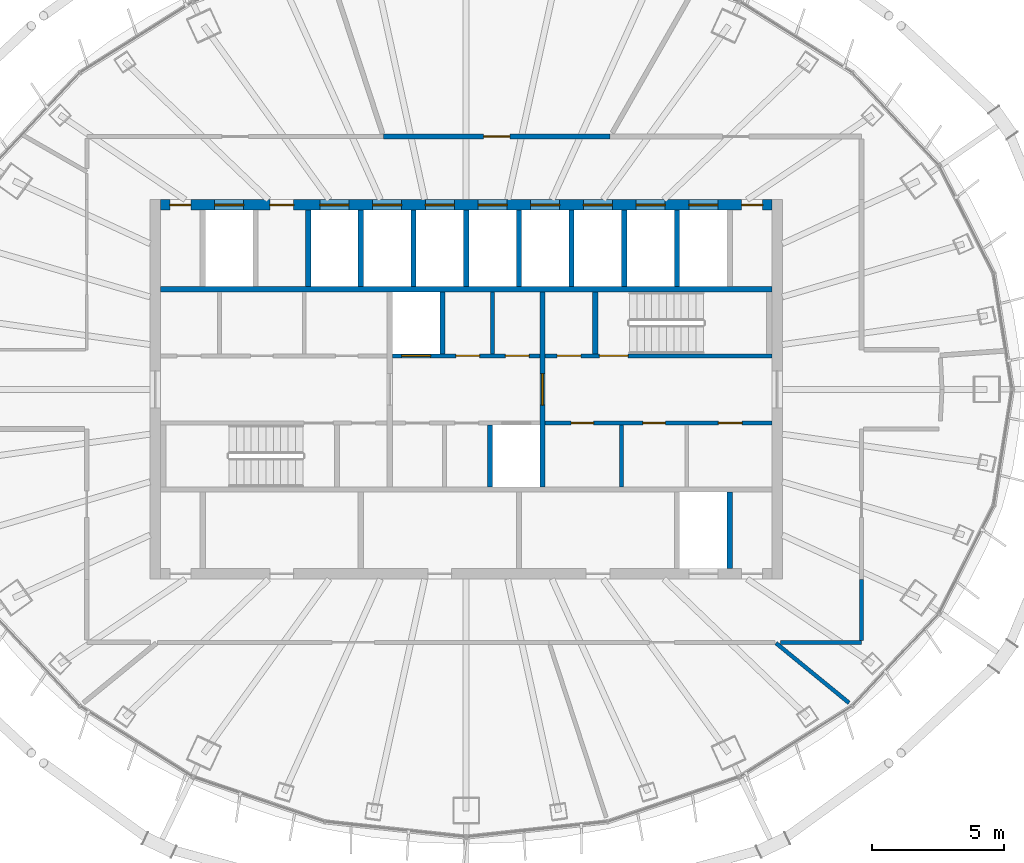
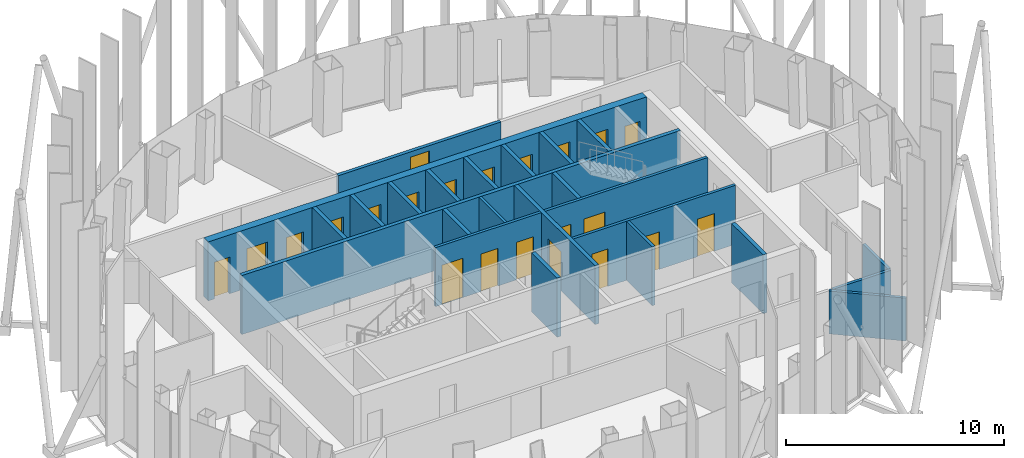
# One storey, part 10 of 19: 24 walls, 22 doors, 22 openings.
"""IFC4 building model written with IfcOpenShell, lengths in metres."""

from ifc_helpers import new_model, si_unit, direction, frame, frame_2d, origin, place, context, subcontext, project, spatial, rectangle, extrude, material, layer, layer_set, type_object, element, fill, save


model = new_model("IFC4")

# Units and contexts
model_context = context("Model", 3, precision=1e-05, world=origin(), true_north=direction((0.0, 1.0)))
body_context = subcontext(model_context, "Body", "Model", "MODEL_VIEW")
ifc_project = project(units=[si_unit("LENGTHUNIT", "METRE"), si_unit("AREAUNIT", "SQUARE_METRE"), si_unit("VOLUMEUNIT", "CUBIC_METRE"), si_unit("PLANEANGLEUNIT", "RADIAN"), si_unit("MASSUNIT", "GRAM", prefix="KILO")], contexts=[model_context])

# Site, building, storey
site_placement = place(None, origin())
site = spatial("IfcSite", under=ifc_project, at=site_placement, CompositionType="ELEMENT")
building_placement = place(site_placement, origin())
building = spatial("IfcBuilding", under=site, at=building_placement, Name="Siaravel Broadcast Tower", CompositionType="ELEMENT")
storey_placement = place(building_placement, frame((0.0, 0.0, 250.39990234375)))
storey = spatial("IfcBuildingStorey", under=building, at=storey_placement, Name="L61", CompositionType="ELEMENT", Elevation=250.39990234375)

# Walls
ifc_material_1 = material(Name="Concrete blockwork", Category="masonry")
ifc_layer_1 = layer(ifc_material_1, 0.14990234375)
ifc_layer_set_1 = layer_set([ifc_layer_1], Name="Concrete blockwork")
wall_type_1 = type_object("IfcWallType", Name="Core partition 150", PredefinedType="PARTITIONING", material=ifc_layer_set_1)
for number, where, z_axis, x_axis, name in (
    (1, (5.89697265625, -3.699951171875, 0.0), (0.0, 0.0, 1.0), (0.0, 1.0, 0.0), "L61 core partition PSE0"),
    (2, (1.0, 1.35009765625, 0.0), (0.0, 0.0, 1.0), (0.0, 1.0, 0.0), "L61 core partition PNM0"),
):
    element("IfcWall", number, at=place(storey_placement, frame(where, z_axis=z_axis, x_axis=x_axis)), inside=storey, type_object=wall_type_1, Name=name, PredefinedType="PARTITIONING", context=body_context, shape_type="SweptSolid", body=[
        extrude(rectangle(XDim=2.349853515625, YDim=0.14990234375, at=frame_2d((1.1748046875, 0.0))), origin(), (0.0, 0.0, 1.0), 3.300048828125),
    ])

# Wall, openings, doors
ifc_material_2 = material(Name="Concrete C60/75", Category="concrete")
ifc_layer_2 = layer(ifc_material_2, 0.39990234375)
ifc_layer_set_2 = layer_set([ifc_layer_2], Name="Concrete C60/75")
wall_type_2 = type_object("IfcWallType", Name="Core wall 400", PredefinedType="SHEAR", material=ifc_layer_set_2)
wall_1_placement = place(storey_placement, frame((-11.60009765625, 7.0, 0.0), z_axis=(0.0, 0.0, 1.0), x_axis=(1.0, 0.0, 0.0)))
wall_1 = element("IfcWall", 3, at=wall_1_placement, inside=storey, type_object=wall_type_2, Name="L61 core wall ON", PredefinedType="SHEAR", context=body_context, shape_type="SweptSolid", body=[
    extrude(rectangle(XDim=23.2001953125, YDim=0.39990234375, at=frame_2d((11.60009765625, 0.0))), origin(), (0.0, 0.0, 1.0), 3.300048828125),
])
opening_1_placement = place(wall_1_placement, frame((2.050048828125, 0.0, 0.0)))
opening_1 = element("IfcOpeningElement", 4, at=opening_1_placement, cuts=wall_1, Name="Opening LD-SV2-L61", PredefinedType="OPENING", context=body_context, shape_type="SweptSolid", body=[
    extrude(rectangle(XDim=1.10009765625, YDim=2.199951171875, at=frame_2d((0.550048828125, 1.10009765625))), frame((0.0, 0.2099609375, 0.0), z_axis=(0.0, -1.0, 0.0), x_axis=(1.0, 0.0, 0.0)), (0.0, 0.0, 1.0), 0.419921875),
])
opening_2_placement = place(wall_1_placement, frame((6.050048828125, 0.0, 0.0)))
opening_2 = element("IfcOpeningElement", 5, at=opening_2_placement, cuts=wall_1, Name="Opening LD-HP1-L61", PredefinedType="OPENING", context=body_context, shape_type="SweptSolid", body=[
    extrude(rectangle(XDim=1.10009765625, YDim=2.199951171875, at=frame_2d((0.550048828125, 1.10009765625))), frame((0.0, 0.2099609375, 0.0), z_axis=(0.0, -1.0, 0.0), x_axis=(1.0, 0.0, 0.0)), (0.0, 0.0, 1.0), 0.419921875),
])
opening_3_placement = place(wall_1_placement, frame((8.050048828125, 0.0, 0.0)))
opening_3 = element("IfcOpeningElement", 6, at=opening_3_placement, cuts=wall_1, Name="Opening LD-HP2-L61", PredefinedType="OPENING", context=body_context, shape_type="SweptSolid", body=[
    extrude(rectangle(XDim=1.10009765625, YDim=2.199951171875, at=frame_2d((0.550048828125, 1.10009765625))), frame((0.0, 0.2099609375, 0.0), z_axis=(0.0, -1.0, 0.0), x_axis=(1.0, 0.0, 0.0)), (0.0, 0.0, 1.0), 0.419921875),
])
opening_4_placement = place(wall_1_placement, frame((10.050048828125, 0.0, 0.0)))
opening_4 = element("IfcOpeningElement", 7, at=opening_4_placement, cuts=wall_1, Name="Opening LD-HP3-L61", PredefinedType="OPENING", context=body_context, shape_type="SweptSolid", body=[
    extrude(rectangle(XDim=1.10009765625, YDim=2.199951171875, at=frame_2d((0.550048828125, 1.10009765625))), frame((0.0, 0.2099609375, 0.0), z_axis=(0.0, -1.0, 0.0), x_axis=(1.0, 0.0, 0.0)), (0.0, 0.0, 1.0), 0.419921875),
])
opening_5_placement = place(wall_1_placement, frame((12.050048828125, 0.0, 0.0)))
opening_5 = element("IfcOpeningElement", 8, at=opening_5_placement, cuts=wall_1, Name="Opening LD-HP4-L61", PredefinedType="OPENING", context=body_context, shape_type="SweptSolid", body=[
    extrude(rectangle(XDim=1.10009765625, YDim=2.199951171875, at=frame_2d((0.550048828125, 1.10009765625))), frame((0.0, 0.2099609375, 0.0), z_axis=(0.0, -1.0, 0.0), x_axis=(1.0, 0.0, 0.0)), (0.0, 0.0, 1.0), 0.419921875),
])
opening_6_placement = place(wall_1_placement, frame((14.050048828125, 0.0, 0.0)))
opening_6 = element("IfcOpeningElement", 9, at=opening_6_placement, cuts=wall_1, Name="Opening LD-HP5-L61", PredefinedType="OPENING", context=body_context, shape_type="SweptSolid", body=[
    extrude(rectangle(XDim=1.10009765625, YDim=2.199951171875, at=frame_2d((0.550048828125, 1.10009765625))), frame((0.0, 0.2099609375, 0.0), z_axis=(0.0, -1.0, 0.0), x_axis=(1.0, 0.0, 0.0)), (0.0, 0.0, 1.0), 0.419921875),
])
opening_7_placement = place(wall_1_placement, frame((16.050048828125, 0.0, 0.0)))
opening_7 = element("IfcOpeningElement", 10, at=opening_7_placement, cuts=wall_1, Name="Opening LD-HP6-L61", PredefinedType="OPENING", context=body_context, shape_type="SweptSolid", body=[
    extrude(rectangle(XDim=1.10009765625, YDim=2.199951171875, at=frame_2d((0.550048828125, 1.10009765625))), frame((0.0, 0.2099609375, 0.0), z_axis=(0.0, -1.0, 0.0), x_axis=(1.0, 0.0, 0.0)), (0.0, 0.0, 1.0), 0.419921875),
])
opening_8_placement = place(wall_1_placement, frame((18.050048828125, 0.0, 0.0)))
opening_8 = element("IfcOpeningElement", 11, at=opening_8_placement, cuts=wall_1, Name="Opening LD-HP7-L61", PredefinedType="OPENING", context=body_context, shape_type="SweptSolid", body=[
    extrude(rectangle(XDim=1.10009765625, YDim=2.199951171875, at=frame_2d((0.550048828125, 1.10009765625))), frame((0.0, 0.2099609375, 0.0), z_axis=(0.0, -1.0, 0.0), x_axis=(1.0, 0.0, 0.0)), (0.0, 0.0, 1.0), 0.419921875),
])
opening_9_placement = place(wall_1_placement, frame((20.050048828125, 0.0, 0.0)))
opening_9 = element("IfcOpeningElement", 12, at=opening_9_placement, cuts=wall_1, Name="Opening LD-HP8-L61", PredefinedType="OPENING", context=body_context, shape_type="SweptSolid", body=[
    extrude(rectangle(XDim=1.10009765625, YDim=2.199951171875, at=frame_2d((0.550048828125, 1.10009765625))), frame((0.0, 0.2099609375, 0.0), z_axis=(0.0, -1.0, 0.0), x_axis=(1.0, 0.0, 0.0)), (0.0, 0.0, 1.0), 0.419921875),
])
opening_10_placement = place(wall_1_placement, frame((4.14990234375, 0.0, 0.0)))
opening_10 = element("IfcOpeningElement", 13, at=opening_10_placement, cuts=wall_1, Name="Opening L61-DFN1", PredefinedType="OPENING", context=body_context, shape_type="SweptSolid", body=[
    extrude(rectangle(XDim=0.89990234375, YDim=2.10009765625, at=frame_2d((0.449951171875, 1.050048828125))), frame((0.0, 0.2099609375, 0.0), z_axis=(0.0, -1.0, 0.0), x_axis=(1.0, 0.0, 0.0)), (0.0, 0.0, 1.0), 0.419921875),
])
opening_11_placement = place(wall_1_placement, frame((0.35009765625, 0.0, 0.0)))
opening_11 = element("IfcOpeningElement", 14, at=opening_11_placement, cuts=wall_1, Name="Opening L61-DRNW", PredefinedType="OPENING", context=body_context, shape_type="SweptSolid", body=[
    extrude(rectangle(XDim=0.800048828125, YDim=2.050048828125, at=frame_2d((0.39990234375, 1.02490234375))), frame((0.0, 0.2099609375, 0.0), z_axis=(0.0, -1.0, 0.0), x_axis=(1.0, 0.0, 0.0)), (0.0, 0.0, 1.0), 0.419921875),
])
opening_12_placement = place(wall_1_placement, frame((22.050048828125, 0.0, 0.0)))
opening_12 = element("IfcOpeningElement", 15, at=opening_12_placement, cuts=wall_1, Name="Opening L61-DRNE", PredefinedType="OPENING", context=body_context, shape_type="SweptSolid", body=[
    extrude(rectangle(XDim=0.800048828125, YDim=2.050048828125, at=frame_2d((0.39990234375, 1.02490234375))), frame((0.0, 0.2099609375, 0.0), z_axis=(0.0, -1.0, 0.0), x_axis=(1.0, 0.0, 0.0)), (0.0, 0.0, 1.0), 0.419921875),
])
ifc_material_3 = material(Name="Timber veneer", Category="wood")
door_type_1 = type_object("IfcDoorType", Name="Core room door 900", OperationType="SINGLE_SWING_LEFT", PredefinedType="DOOR", material=ifc_material_3)
door_1_placement = place(opening_10_placement, origin())
door_1 = element("IfcDoor", 16, at=door_1_placement, inside=storey, type_object=door_type_1, Name="L61 door DFN1", OperationType="SINGLE_SWING_LEFT", OverallHeight=2.10009765625, OverallWidth=0.89990234375, PredefinedType="DOOR", context=body_context, shape_type="SweptSolid", body=[
    extrude(rectangle(XDim=0.89990234375, YDim=2.10009765625, at=frame_2d((0.449951171875, 1.050048828125))), frame((0.0, 0.02490234375, 0.0), z_axis=(0.0, -1.0, 0.0), x_axis=(1.0, 0.0, 0.0)), (0.0, 0.0, 1.0), 0.050048828125),
])
fill(opening_10, door_1)
ifc_material_4 = material(Name="Stainless steel 316L", Category="steel")
door_type_2 = type_object("IfcDoorType", Name="Lift landing door 1100", OperationType="DOUBLE_DOOR_SLIDING", PredefinedType="DOOR", material=ifc_material_4)
door_2_placement = place(opening_2_placement, origin())
door_2 = element("IfcDoor", 17, at=door_2_placement, inside=storey, type_object=door_type_2, Name="Landing door HP1 L61", OperationType="DOUBLE_DOOR_SLIDING", OverallHeight=2.199951171875, OverallWidth=1.10009765625, PredefinedType="DOOR", context=body_context, shape_type="SweptSolid", body=[
    extrude(rectangle(XDim=1.10009765625, YDim=2.199951171875, at=frame_2d((0.550048828125, 1.10009765625))), frame((0.0, 0.02490234375, 0.0), z_axis=(0.0, -1.0, 0.0), x_axis=(1.0, 0.0, 0.0)), (0.0, 0.0, 1.0), 0.050048828125),
])
fill(opening_2, door_2)
door_3_placement = place(opening_3_placement, origin())
door_3 = element("IfcDoor", 18, at=door_3_placement, inside=storey, type_object=door_type_2, Name="Landing door HP2 L61", OperationType="DOUBLE_DOOR_SLIDING", OverallHeight=2.199951171875, OverallWidth=1.10009765625, PredefinedType="DOOR", context=body_context, shape_type="SweptSolid", body=[
    extrude(rectangle(XDim=1.10009765625, YDim=2.199951171875, at=frame_2d((0.550048828125, 1.10009765625))), frame((0.0, 0.02490234375, 0.0), z_axis=(0.0, -1.0, 0.0), x_axis=(1.0, 0.0, 0.0)), (0.0, 0.0, 1.0), 0.050048828125),
])
fill(opening_3, door_3)
door_4_placement = place(opening_4_placement, origin())
door_4 = element("IfcDoor", 19, at=door_4_placement, inside=storey, type_object=door_type_2, Name="Landing door HP3 L61", OperationType="DOUBLE_DOOR_SLIDING", OverallHeight=2.199951171875, OverallWidth=1.10009765625, PredefinedType="DOOR", context=body_context, shape_type="SweptSolid", body=[
    extrude(rectangle(XDim=1.10009765625, YDim=2.199951171875, at=frame_2d((0.550048828125, 1.10009765625))), frame((0.0, 0.02490234375, 0.0), z_axis=(0.0, -1.0, 0.0), x_axis=(1.0, 0.0, 0.0)), (0.0, 0.0, 1.0), 0.050048828125),
])
fill(opening_4, door_4)
door_5_placement = place(opening_5_placement, origin())
door_5 = element("IfcDoor", 20, at=door_5_placement, inside=storey, type_object=door_type_2, Name="Landing door HP4 L61", OperationType="DOUBLE_DOOR_SLIDING", OverallHeight=2.199951171875, OverallWidth=1.10009765625, PredefinedType="DOOR", context=body_context, shape_type="SweptSolid", body=[
    extrude(rectangle(XDim=1.10009765625, YDim=2.199951171875, at=frame_2d((0.550048828125, 1.10009765625))), frame((0.0, 0.02490234375, 0.0), z_axis=(0.0, -1.0, 0.0), x_axis=(1.0, 0.0, 0.0)), (0.0, 0.0, 1.0), 0.050048828125),
])
fill(opening_5, door_5)
door_6_placement = place(opening_6_placement, origin())
door_6 = element("IfcDoor", 21, at=door_6_placement, inside=storey, type_object=door_type_2, Name="Landing door HP5 L61", OperationType="DOUBLE_DOOR_SLIDING", OverallHeight=2.199951171875, OverallWidth=1.10009765625, PredefinedType="DOOR", context=body_context, shape_type="SweptSolid", body=[
    extrude(rectangle(XDim=1.10009765625, YDim=2.199951171875, at=frame_2d((0.550048828125, 1.10009765625))), frame((0.0, 0.02490234375, 0.0), z_axis=(0.0, -1.0, 0.0), x_axis=(1.0, 0.0, 0.0)), (0.0, 0.0, 1.0), 0.050048828125),
])
fill(opening_6, door_6)
door_7_placement = place(opening_7_placement, origin())
door_7 = element("IfcDoor", 22, at=door_7_placement, inside=storey, type_object=door_type_2, Name="Landing door HP6 L61", OperationType="DOUBLE_DOOR_SLIDING", OverallHeight=2.199951171875, OverallWidth=1.10009765625, PredefinedType="DOOR", context=body_context, shape_type="SweptSolid", body=[
    extrude(rectangle(XDim=1.10009765625, YDim=2.199951171875, at=frame_2d((0.550048828125, 1.10009765625))), frame((0.0, 0.02490234375, 0.0), z_axis=(0.0, -1.0, 0.0), x_axis=(1.0, 0.0, 0.0)), (0.0, 0.0, 1.0), 0.050048828125),
])
fill(opening_7, door_7)
door_8_placement = place(opening_8_placement, origin())
door_8 = element("IfcDoor", 23, at=door_8_placement, inside=storey, type_object=door_type_2, Name="Landing door HP7 L61", OperationType="DOUBLE_DOOR_SLIDING", OverallHeight=2.199951171875, OverallWidth=1.10009765625, PredefinedType="DOOR", context=body_context, shape_type="SweptSolid", body=[
    extrude(rectangle(XDim=1.10009765625, YDim=2.199951171875, at=frame_2d((0.550048828125, 1.10009765625))), frame((0.0, 0.02490234375, 0.0), z_axis=(0.0, -1.0, 0.0), x_axis=(1.0, 0.0, 0.0)), (0.0, 0.0, 1.0), 0.050048828125),
])
fill(opening_8, door_8)
door_9_placement = place(opening_9_placement, origin())
door_9 = element("IfcDoor", 24, at=door_9_placement, inside=storey, type_object=door_type_2, Name="Landing door HP8 L61", OperationType="DOUBLE_DOOR_SLIDING", OverallHeight=2.199951171875, OverallWidth=1.10009765625, PredefinedType="DOOR", context=body_context, shape_type="SweptSolid", body=[
    extrude(rectangle(XDim=1.10009765625, YDim=2.199951171875, at=frame_2d((0.550048828125, 1.10009765625))), frame((0.0, 0.02490234375, 0.0), z_axis=(0.0, -1.0, 0.0), x_axis=(1.0, 0.0, 0.0)), (0.0, 0.0, 1.0), 0.050048828125),
])
fill(opening_9, door_9)
ifc_material_5 = material(Name="Steel", Category="steel")
door_type_3 = type_object("IfcDoorType", Name="Riser door 800", OperationType="SINGLE_SWING_LEFT", PredefinedType="DOOR", material=ifc_material_5)
door_10_placement = place(opening_11_placement, origin())
door_10 = element("IfcDoor", 25, at=door_10_placement, inside=storey, type_object=door_type_3, Name="L61 door DRNW", OperationType="SINGLE_SWING_LEFT", OverallHeight=2.050048828125, OverallWidth=0.800048828125, PredefinedType="DOOR", context=body_context, shape_type="SweptSolid", body=[
    extrude(rectangle(XDim=0.800048828125, YDim=2.050048828125, at=frame_2d((0.39990234375, 1.02490234375))), frame((0.0, 0.02490234375, 0.0), z_axis=(0.0, -1.0, 0.0), x_axis=(1.0, 0.0, 0.0)), (0.0, 0.0, 1.0), 0.050048828125),
])
fill(opening_11, door_10)
door_11_placement = place(opening_12_placement, origin())
door_11 = element("IfcDoor", 26, at=door_11_placement, inside=storey, type_object=door_type_3, Name="L61 door DRNE", OperationType="SINGLE_SWING_LEFT", OverallHeight=2.050048828125, OverallWidth=0.800048828125, PredefinedType="DOOR", context=body_context, shape_type="SweptSolid", body=[
    extrude(rectangle(XDim=0.800048828125, YDim=2.050048828125, at=frame_2d((0.39990234375, 1.02490234375))), frame((0.0, 0.02490234375, 0.0), z_axis=(0.0, -1.0, 0.0), x_axis=(1.0, 0.0, 0.0)), (0.0, 0.0, 1.0), 0.050048828125),
])
fill(opening_12, door_11)
door_type_4 = type_object("IfcDoorType", Name="Service lift landing door 1100", OperationType="DOUBLE_DOOR_SLIDING", PredefinedType="DOOR", material=ifc_material_4)
door_12_placement = place(opening_1_placement, origin())
door_12 = element("IfcDoor", 27, at=door_12_placement, inside=storey, type_object=door_type_4, Name="Landing door SV2 L61", OperationType="DOUBLE_DOOR_SLIDING", OverallHeight=2.199951171875, OverallWidth=1.10009765625, PredefinedType="DOOR", context=body_context, shape_type="SweptSolid", body=[
    extrude(rectangle(XDim=1.10009765625, YDim=2.199951171875, at=frame_2d((0.550048828125, 1.10009765625))), frame((0.0, 0.02490234375, 0.0), z_axis=(0.0, -1.0, 0.0), x_axis=(1.0, 0.0, 0.0)), (0.0, 0.0, 1.0), 0.050048828125),
])
fill(opening_1, door_12)

ifc_material_6 = material(Name="Gypsum board partition", Category="gypsum")
ifc_layer_3 = layer(ifc_material_6, 0.14990234375)
ifc_layer_set_3 = layer_set([ifc_layer_3], Name="Gypsum board partition")
wall_type_3 = type_object("IfcWallType", Name="Corridor wall 150", PredefinedType="PARTITIONING", material=ifc_layer_set_3)
wall_2_placement = place(storey_placement, frame((3.0, -1.27490234375, 0.0), z_axis=(0.0, 0.0, 1.0), x_axis=(1.0, 0.0, 0.0)))
wall_2 = element("IfcWall", 28, at=wall_2_placement, inside=storey, type_object=wall_type_3, Name="L61 core partition CSE", PredefinedType="PARTITIONING", context=body_context, shape_type="SweptSolid", body=[
    extrude(rectangle(XDim=8.60009765625, YDim=0.14990234375, at=frame_2d((4.300048828125, 0.0))), origin(), (0.0, 0.0, 1.0), 3.300048828125),
])
opening_13_placement = place(wall_2_placement, frame((0.986083984375, 0.0, 0.0)))
opening_13 = element("IfcOpeningElement", 29, at=opening_13_placement, cuts=wall_2, Name="Opening L61-DSE0", PredefinedType="OPENING", context=body_context, shape_type="SweptSolid", body=[
    extrude(rectangle(XDim=0.85009765625, YDim=2.10009765625, at=frame_2d((0.425048828125, 1.050048828125))), frame((0.0, 0.0849609375, 0.0), z_axis=(0.0, -1.0, 0.0), x_axis=(1.0, 0.0, 0.0)), (0.0, 0.0, 1.0), 0.169921875),
])
opening_14_placement = place(wall_2_placement, frame((3.708984375, 0.0, 0.0)))
opening_14 = element("IfcOpeningElement", 30, at=opening_14_placement, cuts=wall_2, Name="Opening L61-DSE1", PredefinedType="OPENING", context=body_context, shape_type="SweptSolid", body=[
    extrude(rectangle(XDim=0.85009765625, YDim=2.10009765625, at=frame_2d((0.425048828125, 1.050048828125))), frame((0.0, 0.0849609375, 0.0), z_axis=(0.0, -1.0, 0.0), x_axis=(1.0, 0.0, 0.0)), (0.0, 0.0, 1.0), 0.169921875),
])
opening_15_placement = place(wall_2_placement, frame((6.572998046875, 0.0, 0.0)))
opening_15 = element("IfcOpeningElement", 31, at=opening_15_placement, cuts=wall_2, Name="Opening L61-DSE2", PredefinedType="OPENING", context=body_context, shape_type="SweptSolid", body=[
    extrude(rectangle(XDim=0.89990234375, YDim=2.10009765625, at=frame_2d((0.449951171875, 1.050048828125))), frame((0.0, 0.0849609375, 0.0), z_axis=(0.0, -1.0, 0.0), x_axis=(1.0, 0.0, 0.0)), (0.0, 0.0, 1.0), 0.169921875),
])
door_13_placement = place(opening_15_placement, origin())
door_13 = element("IfcDoor", 32, at=door_13_placement, inside=storey, type_object=door_type_1, Name="L61 door DSE2", OperationType="SINGLE_SWING_LEFT", OverallHeight=2.10009765625, OverallWidth=0.89990234375, PredefinedType="DOOR", context=body_context, shape_type="SweptSolid", body=[
    extrude(rectangle(XDim=0.89990234375, YDim=2.10009765625, at=frame_2d((0.449951171875, 1.050048828125))), frame((0.0, 0.02490234375, 0.0), z_axis=(0.0, -1.0, 0.0), x_axis=(1.0, 0.0, 0.0)), (0.0, 0.0, 1.0), 0.050048828125),
])
fill(opening_15, door_13)
door_type_5 = type_object("IfcDoorType", Name="Core toilet door 850", OperationType="SINGLE_SWING_LEFT", PredefinedType="DOOR", material=ifc_material_3)
door_14_placement = place(opening_13_placement, origin())
door_14 = element("IfcDoor", 33, at=door_14_placement, inside=storey, type_object=door_type_5, Name="L61 door DSE0", OperationType="SINGLE_SWING_LEFT", OverallHeight=2.10009765625, OverallWidth=0.85009765625, PredefinedType="DOOR", context=body_context, shape_type="SweptSolid", body=[
    extrude(rectangle(XDim=0.85009765625, YDim=2.10009765625, at=frame_2d((0.425048828125, 1.050048828125))), frame((0.0, 0.02490234375, 0.0), z_axis=(0.0, -1.0, 0.0), x_axis=(1.0, 0.0, 0.0)), (0.0, 0.0, 1.0), 0.050048828125),
])
fill(opening_13, door_14)
door_15_placement = place(opening_14_placement, origin())
door_15 = element("IfcDoor", 34, at=door_15_placement, inside=storey, type_object=door_type_5, Name="L61 door DSE1", OperationType="SINGLE_SWING_LEFT", OverallHeight=2.10009765625, OverallWidth=0.85009765625, PredefinedType="DOOR", context=body_context, shape_type="SweptSolid", body=[
    extrude(rectangle(XDim=0.85009765625, YDim=2.10009765625, at=frame_2d((0.425048828125, 1.050048828125))), frame((0.0, 0.02490234375, 0.0), z_axis=(0.0, -1.0, 0.0), x_axis=(1.0, 0.0, 0.0)), (0.0, 0.0, 1.0), 0.050048828125),
])
fill(opening_14, door_15)

# Walls
wall_3_placement = place(storey_placement, frame((11.9375, -9.60205078125, 0.0), z_axis=(0.0, 0.0, 1.0), x_axis=(1.0, 0.0, 0.0)))
element("IfcWall", 35, at=wall_3_placement, inside=storey, type_object=wall_type_3, Name="L61 partition 17", PredefinedType="PARTITIONING", context=body_context, shape_type="SweptSolid", body=[
    extrude(rectangle(XDim=3.064453125, YDim=0.14990234375, at=frame_2d((1.5322265625, 0.0))), origin(), (0.0, 0.0, 1.0), 2.400146484375),
])
wall_4_placement = place(storey_placement, frame((15.001953125, -9.52490234375, 0.0), z_axis=(0.0, 0.0, 1.0), x_axis=(0.0, 1.0, 0.0)))
element("IfcWall", 36, at=wall_4_placement, inside=storey, type_object=wall_type_3, Name="L61 partition 23", PredefinedType="PARTITIONING", context=body_context, shape_type="SweptSolid", body=[
    extrude(rectangle(XDim=2.31201171875, YDim=0.14990234375, at=frame_2d((1.156005859375, 0.0))), origin(), (0.0, 0.0, 1.0), 2.400146484375),
])
ifc_layer_4 = layer(ifc_material_6, 0.14990234375)
ifc_layer_set_4 = layer_set([ifc_layer_4], Name="Gypsum board partition")
wall_type_4 = type_object("IfcWallType", Name="Room partition 150", PredefinedType="PARTITIONING", material=ifc_layer_set_4)
wall_5_placement = place(storey_placement, frame((14.531494140625, -11.900390625, 0.0), z_axis=(0.0, 0.0, 1.0), x_axis=(-0.773611109, 0.633660676, 0.0)))
element("IfcWall", 37, at=wall_5_placement, inside=storey, type_object=wall_type_4, Name="L61 partition 14", PredefinedType="PARTITIONING", context=body_context, shape_type="SweptSolid", body=[
    extrude(rectangle(XDim=3.583251953125, YDim=0.14990234375, at=frame_2d((1.79150390625, 0.0))), origin(), (0.0, 0.0, 1.0), 2.400146484375),
])

# Wall, opening, door
ifc_layer_5 = layer(ifc_material_1, 0.179931640625)
ifc_layer_set_5 = layer_set([ifc_layer_5], Name="Concrete blockwork")
wall_type_5 = type_object("IfcWallType", Name="Service room fire partition 180", PredefinedType="PARTITIONING", material=ifc_layer_set_5)
wall_6_placement = place(storey_placement, frame((5.464111328125, 9.60009765625, 0.0), z_axis=(0.0, 0.0, 1.0), x_axis=(-1.0, 0.0, 0.0)))
wall_6 = element("IfcWall", 38, at=wall_6_placement, inside=storey, type_object=wall_type_5, Name="L61 partition 4", PredefinedType="PARTITIONING", context=body_context, shape_type="SweptSolid", body=[
    extrude(rectangle(XDim=8.6044921875, YDim=0.179931640625, at=frame_2d((4.30224609375, 0.0))), origin(), (0.0, 0.0, 1.0), 2.400146484375),
])
opening_16_placement = place(wall_6_placement, frame((3.80224609375, 0.0, 0.0)))
opening_16 = element("IfcOpeningElement", 39, at=opening_16_placement, cuts=wall_6, Name="Opening L61-006", PredefinedType="OPENING", context=body_context, shape_type="SweptSolid", body=[
    extrude(rectangle(XDim=1.0, YDim=2.10009765625, at=frame_2d((0.5, 1.050048828125))), frame((0.0, 0.099853515625, 0.0), z_axis=(0.0, -1.0, 0.0), x_axis=(1.0, 0.0, 0.0)), (0.0, 0.0, 1.0), 0.199951171875),
])
door_type_6 = type_object("IfcDoorType", Name="Service room door 1000", OperationType="SINGLE_SWING_LEFT", PredefinedType="DOOR", material=ifc_material_5)
door_16_placement = place(opening_16_placement, origin())
door_16 = element("IfcDoor", 40, at=door_16_placement, inside=storey, type_object=door_type_6, Name="L61 door to Library", OperationType="SINGLE_SWING_RIGHT", OverallHeight=2.10009765625, OverallWidth=1.0, PredefinedType="DOOR", context=body_context, shape_type="SweptSolid", body=[
    extrude(rectangle(XDim=1.0, YDim=2.10009765625, at=frame_2d((0.5, 1.050048828125))), frame((0.0, 0.02490234375, 0.0), z_axis=(0.0, -1.0, 0.0), x_axis=(1.0, 0.0, 0.0)), (0.0, 0.0, 1.0), 0.050048828125),
])
fill(opening_16, door_16)

# Wall, openings, doors
ifc_layer_6 = layer(ifc_material_2, 0.14990234375)
ifc_layer_set_6 = layer_set([ifc_layer_6], Name="Concrete C60/75")
wall_type_6 = type_object("IfcWallType", Name="Shaft wall 150", PredefinedType="SHEAR", material=ifc_layer_set_6)
wall_7_placement = place(storey_placement, frame((-2.800048828125, 1.27490234375, 0.0), z_axis=(0.0, 0.0, 1.0), x_axis=(1.0, 0.0, 0.0)))
wall_7 = element("IfcWall", 41, at=wall_7_placement, inside=storey, type_object=wall_type_6, Name="L61 core wall CNM", PredefinedType="SHEAR", context=body_context, shape_type="SweptSolid", body=[
    extrude(rectangle(XDim=5.60009765625, YDim=0.14990234375, at=frame_2d((2.800048828125, 0.0))), origin(), (0.0, 0.0, 1.0), 3.300048828125),
])
opening_17_placement = place(wall_7_placement, frame((0.35009765625, 0.0, 0.0)))
opening_17 = element("IfcOpeningElement", 42, at=opening_17_placement, cuts=wall_7, Name="Opening LD-FL1-L61", PredefinedType="OPENING", context=body_context, shape_type="SweptSolid", body=[
    extrude(rectangle(XDim=1.10009765625, YDim=2.199951171875, at=frame_2d((0.550048828125, 1.10009765625))), frame((0.0, 0.0849609375, 0.0), z_axis=(0.0, -1.0, 0.0), x_axis=(1.0, 0.0, 0.0)), (0.0, 0.0, 1.0), 0.169921875),
])
opening_18_placement = place(wall_7_placement, frame((2.41259765625, 0.0, 0.0)))
opening_18 = element("IfcOpeningElement", 43, at=opening_18_placement, cuts=wall_7, Name="Opening L61-DNM0", PredefinedType="OPENING", context=body_context, shape_type="SweptSolid", body=[
    extrude(rectangle(XDim=0.89990234375, YDim=2.10009765625, at=frame_2d((0.449951171875, 1.050048828125))), frame((0.0, 0.0849609375, 0.0), z_axis=(0.0, -1.0, 0.0), x_axis=(1.0, 0.0, 0.0)), (0.0, 0.0, 1.0), 0.169921875),
])
opening_19_placement = place(wall_7_placement, frame((4.28759765625, 0.0, 0.0)))
opening_19 = element("IfcOpeningElement", 44, at=opening_19_placement, cuts=wall_7, Name="Opening L61-DNM1", PredefinedType="OPENING", context=body_context, shape_type="SweptSolid", body=[
    extrude(rectangle(XDim=0.89990234375, YDim=2.10009765625, at=frame_2d((0.449951171875, 1.050048828125))), frame((0.0, 0.0849609375, 0.0), z_axis=(0.0, -1.0, 0.0), x_axis=(1.0, 0.0, 0.0)), (0.0, 0.0, 1.0), 0.169921875),
])
door_17_placement = place(opening_18_placement, origin())
door_17 = element("IfcDoor", 45, at=door_17_placement, inside=storey, type_object=door_type_1, Name="L61 door DNM0", OperationType="SINGLE_SWING_LEFT", OverallHeight=2.10009765625, OverallWidth=0.89990234375, PredefinedType="DOOR", context=body_context, shape_type="SweptSolid", body=[
    extrude(rectangle(XDim=0.89990234375, YDim=2.10009765625, at=frame_2d((0.449951171875, 1.050048828125))), frame((0.0, 0.02490234375, 0.0), z_axis=(0.0, -1.0, 0.0), x_axis=(1.0, 0.0, 0.0)), (0.0, 0.0, 1.0), 0.050048828125),
])
fill(opening_18, door_17)
door_18_placement = place(opening_19_placement, origin())
door_18 = element("IfcDoor", 46, at=door_18_placement, inside=storey, type_object=door_type_1, Name="L61 door DNM1", OperationType="SINGLE_SWING_LEFT", OverallHeight=2.10009765625, OverallWidth=0.89990234375, PredefinedType="DOOR", context=body_context, shape_type="SweptSolid", body=[
    extrude(rectangle(XDim=0.89990234375, YDim=2.10009765625, at=frame_2d((0.449951171875, 1.050048828125))), frame((0.0, 0.02490234375, 0.0), z_axis=(0.0, -1.0, 0.0), x_axis=(1.0, 0.0, 0.0)), (0.0, 0.0, 1.0), 0.050048828125),
])
fill(opening_19, door_18)
door_type_7 = type_object("IfcDoorType", Name="Firefighting lift landing door 1100", OperationType="DOUBLE_DOOR_SLIDING", PredefinedType="DOOR", material=ifc_material_4)
door_19_placement = place(opening_17_placement, origin())
door_19 = element("IfcDoor", 47, at=door_19_placement, inside=storey, type_object=door_type_7, Name="Landing door FL1 L61", OperationType="DOUBLE_DOOR_SLIDING", OverallHeight=2.199951171875, OverallWidth=1.10009765625, PredefinedType="DOOR", context=body_context, shape_type="SweptSolid", body=[
    extrude(rectangle(XDim=1.10009765625, YDim=2.199951171875, at=frame_2d((0.550048828125, 1.10009765625))), frame((0.0, 0.02490234375, 0.0), z_axis=(0.0, -1.0, 0.0), x_axis=(1.0, 0.0, 0.0)), (0.0, 0.0, 1.0), 0.050048828125),
])
fill(opening_17, door_19)

wall_8_placement = place(storey_placement, frame((3.0, 1.27490234375, 0.0), z_axis=(0.0, 0.0, 1.0), x_axis=(1.0, 0.0, 0.0)))
wall_8 = element("IfcWall", 48, at=wall_8_placement, inside=storey, type_object=wall_type_6, Name="L61 core wall CNE", PredefinedType="SHEAR", context=body_context, shape_type="SweptSolid", body=[
    extrude(rectangle(XDim=8.60009765625, YDim=0.14990234375, at=frame_2d((4.300048828125, 0.0))), origin(), (0.0, 0.0, 1.0), 3.300048828125),
])
opening_20_placement = place(wall_8_placement, frame((2.050048828125, 0.0, 0.0)))
opening_20 = element("IfcOpeningElement", 49, at=opening_20_placement, cuts=wall_8, Name="Opening L61-DS-2", PredefinedType="OPENING", context=body_context, shape_type="SweptSolid", body=[
    extrude(rectangle(XDim=1.10009765625, YDim=2.14990234375, at=frame_2d((0.550048828125, 1.074951171875))), frame((0.0, 0.0849609375, 0.0), z_axis=(0.0, -1.0, 0.0), x_axis=(1.0, 0.0, 0.0)), (0.0, 0.0, 1.0), 0.169921875),
])
opening_21_placement = place(wall_8_placement, frame((0.449951171875, 0.0, 0.0)))
opening_21 = element("IfcOpeningElement", 50, at=opening_21_placement, cuts=wall_8, Name="Opening L61-DNE0", PredefinedType="OPENING", context=body_context, shape_type="SweptSolid", body=[
    extrude(rectangle(XDim=0.89990234375, YDim=2.10009765625, at=frame_2d((0.449951171875, 1.050048828125))), frame((0.0, 0.0849609375, 0.0), z_axis=(0.0, -1.0, 0.0), x_axis=(1.0, 0.0, 0.0)), (0.0, 0.0, 1.0), 0.169921875),
])
door_20_placement = place(opening_21_placement, origin())
door_20 = element("IfcDoor", 51, at=door_20_placement, inside=storey, type_object=door_type_1, Name="L61 door DNE0", OperationType="SINGLE_SWING_LEFT", OverallHeight=2.10009765625, OverallWidth=0.89990234375, PredefinedType="DOOR", context=body_context, shape_type="SweptSolid", body=[
    extrude(rectangle(XDim=0.89990234375, YDim=2.10009765625, at=frame_2d((0.449951171875, 1.050048828125))), frame((0.0, 0.02490234375, 0.0), z_axis=(0.0, -1.0, 0.0), x_axis=(1.0, 0.0, 0.0)), (0.0, 0.0, 1.0), 0.050048828125),
])
fill(opening_21, door_20)
door_type_8 = type_object("IfcDoorType", Name="Stair door 1100", OperationType="SINGLE_SWING_LEFT", PredefinedType="DOOR", material=ifc_material_5)
door_21_placement = place(opening_20_placement, origin())
door_21 = element("IfcDoor", 52, at=door_21_placement, inside=storey, type_object=door_type_8, Name="L61 door DS-2", OperationType="SINGLE_SWING_LEFT", OverallHeight=2.14990234375, OverallWidth=1.10009765625, PredefinedType="DOOR", context=body_context, shape_type="SweptSolid", body=[
    extrude(rectangle(XDim=1.10009765625, YDim=2.14990234375, at=frame_2d((0.550048828125, 1.074951171875))), frame((0.0, 0.02490234375, 0.0), z_axis=(0.0, -1.0, 0.0), x_axis=(1.0, 0.0, 0.0)), (0.0, 0.0, 1.0), 0.050048828125),
])
fill(opening_20, door_21)

# Walls
ifc_layer_7 = layer(ifc_material_2, 0.199951171875)
ifc_layer_set_7 = layer_set([ifc_layer_7], Name="Concrete C60/75")
wall_type_7 = type_object("IfcWallType", Name="Shaft wall 200", PredefinedType="SHEAR", material=ifc_layer_set_7)
wall_9_placement = place(storey_placement, frame((-11.60009765625, 3.800048828125, 0.0), z_axis=(0.0, 0.0, 1.0), x_axis=(1.0, 0.0, 0.0)))
element("IfcWall", 53, at=wall_9_placement, inside=storey, type_object=wall_type_7, Name="L61 core wall BN", PredefinedType="SHEAR", context=body_context, shape_type="SweptSolid", body=[
    extrude(rectangle(XDim=23.2001953125, YDim=0.199951171875, at=frame_2d((11.60009765625, 0.0))), origin(), (0.0, 0.0, 1.0), 3.300048828125),
])
for number, where, z_axis, x_axis, name in (
    (54, (10.0, -6.800048828125, 0.0), (0.0, 0.0, 1.0), (0.0, 1.0, 0.0), "L61 core wall SWS10"),
    (55, (-6.0, 3.89990234375, 0.0), (0.0, 0.0, 1.0), (0.0, 1.0, 0.0), "L61 core wall SWN2"),
    (56, (-4.0, 3.89990234375, 0.0), (0.0, 0.0, 1.0), (0.0, 1.0, 0.0), "L61 core wall SWN3"),
    (57, (-2.0, 3.89990234375, 0.0), (0.0, 0.0, 1.0), (0.0, 1.0, 0.0), "L61 core wall SWN4"),
    (58, (0.0, 3.89990234375, 0.0), (0.0, 0.0, 1.0), (0.0, 1.0, 0.0), "L61 core wall SWN5"),
    (59, (2.0, 3.89990234375, 0.0), (0.0, 0.0, 1.0), (0.0, 1.0, 0.0), "L61 core wall SWN6"),
    (60, (4.0, 3.89990234375, 0.0), (0.0, 0.0, 1.0), (0.0, 1.0, 0.0), "L61 core wall SWN7"),
    (61, (6.0, 3.89990234375, 0.0), (0.0, 0.0, 1.0), (0.0, 1.0, 0.0), "L61 core wall SWN8"),
    (62, (8.0, 3.89990234375, 0.0), (0.0, 0.0, 1.0), (0.0, 1.0, 0.0), "L61 core wall SWN9"),
):
    element("IfcWall", number, at=place(storey_placement, frame(where, z_axis=z_axis, x_axis=x_axis)), inside=storey, type_object=wall_type_7, Name=name, PredefinedType="SHEAR", context=body_context, shape_type="SweptSolid", body=[
        extrude(rectangle(XDim=2.900146484375, YDim=0.199951171875, at=frame_2d((1.4501953125, 0.0))), origin(), (0.0, 0.0, 1.0), 3.300048828125),
    ])

# Wall, opening, door
wall_10_placement = place(storey_placement, frame((2.89990234375, -3.699951171875, 0.0), z_axis=(0.0, 0.0, 1.0), x_axis=(0.0, 1.0, 0.0)))
wall_10 = element("IfcWall", 63, at=wall_10_placement, inside=storey, type_object=wall_type_7, Name="L61 core wall LE", PredefinedType="SHEAR", context=body_context, shape_type="SweptSolid", body=[
    extrude(rectangle(XDim=7.39990234375, YDim=0.199951171875, at=frame_2d((3.699951171875, 0.0))), origin(), (0.0, 0.0, 1.0), 3.300048828125),
])
opening_22_placement = place(wall_10_placement, frame((3.10009765625, 0.0, 0.0)))
opening_22 = element("IfcOpeningElement", 64, at=opening_22_placement, cuts=wall_10, Name="Opening L61-DL-E", PredefinedType="OPENING", context=body_context, shape_type="SweptSolid", body=[
    extrude(rectangle(XDim=1.199951171875, YDim=2.199951171875, at=frame_2d((0.60009765625, 1.10009765625))), frame((0.0, 0.10986328125, 0.0), z_axis=(0.0, -1.0, 0.0), x_axis=(1.0, 0.0, 0.0)), (0.0, 0.0, 1.0), 0.219970703125),
])
door_type_9 = type_object("IfcDoorType", Name="Firefighting lobby door 1200", OperationType="SINGLE_SWING_LEFT", PredefinedType="DOOR", material=ifc_material_5)
door_22_placement = place(opening_22_placement, origin())
door_22 = element("IfcDoor", 65, at=door_22_placement, inside=storey, type_object=door_type_9, Name="L61 door DL-E", OperationType="SINGLE_SWING_LEFT", OverallHeight=2.199951171875, OverallWidth=1.199951171875, PredefinedType="DOOR", context=body_context, shape_type="SweptSolid", body=[
    extrude(rectangle(XDim=1.199951171875, YDim=2.199951171875, at=frame_2d((0.60009765625, 1.10009765625))), frame((0.0, 0.02490234375, 0.0), z_axis=(0.0, -1.0, 0.0), x_axis=(1.0, 0.0, 0.0)), (0.0, 0.0, 1.0), 0.050048828125),
])
fill(opening_22, door_22)

# Walls
for number, where, z_axis, x_axis, name in (
    (66, (-0.89990234375, 1.35009765625, 0.0), (0.0, 0.0, 1.0), (0.0, 1.0, 0.0), "L61 core wall FF1E"),
    (67, (0.89990234375, -3.699951171875, 0.0), (0.0, 0.0, 1.0), (0.0, 1.0, 0.0), "L61 core wall FF2W"),
    (68, (4.89990234375, 1.35009765625, 0.0), (0.0, 0.0, 1.0), (0.0, 1.0, 0.0), "L61 core wall ST2W"),
):
    element("IfcWall", number, at=place(storey_placement, frame(where, z_axis=z_axis, x_axis=x_axis)), inside=storey, type_object=wall_type_7, Name=name, PredefinedType="SHEAR", context=body_context, shape_type="SweptSolid", body=[
        extrude(rectangle(XDim=2.349853515625, YDim=0.199951171875, at=frame_2d((1.1748046875, 0.0))), origin(), (0.0, 0.0, 1.0), 3.300048828125),
    ])

save(model, "model.ifc")
